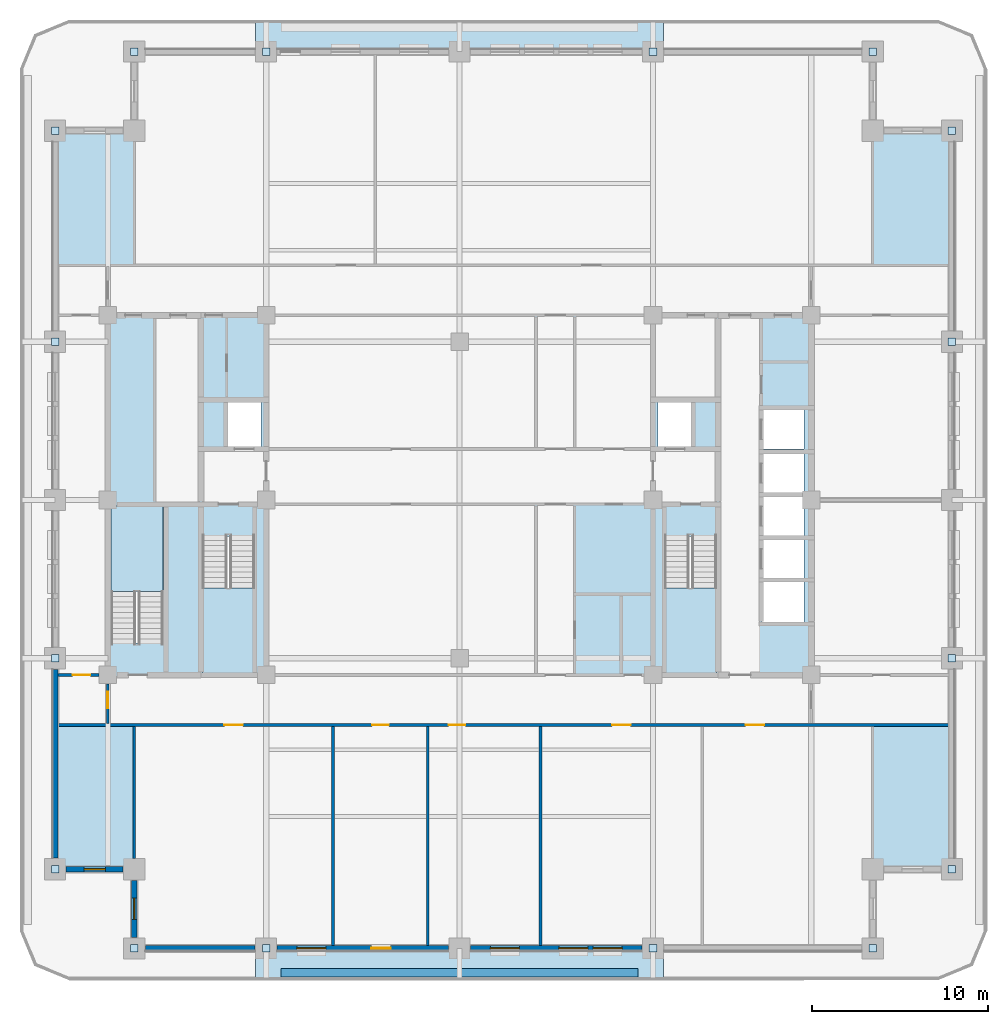
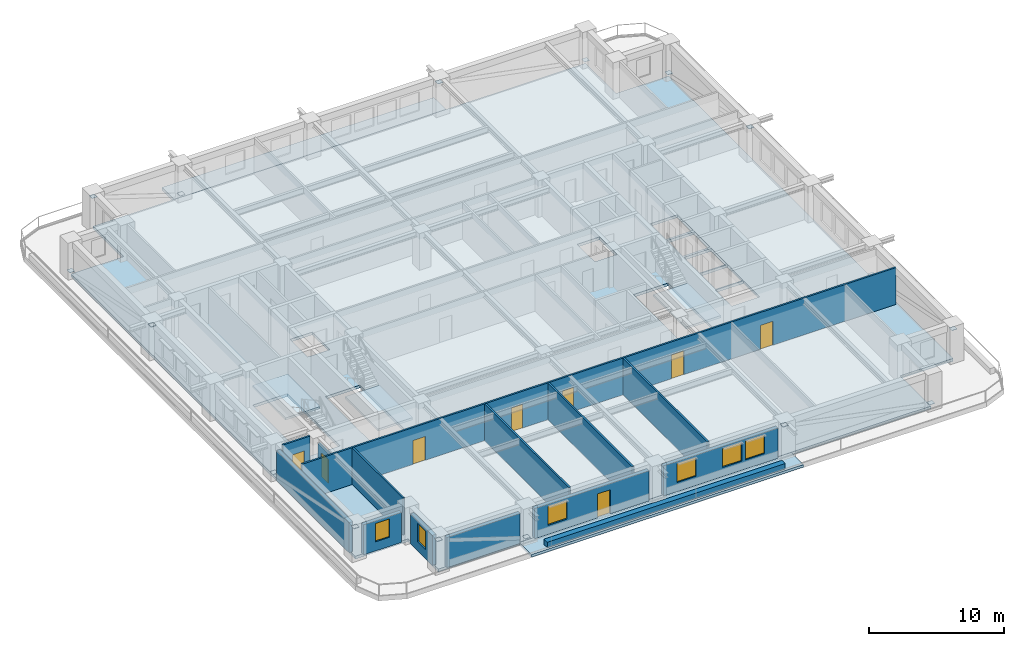
# One storey, part 2 of 13: 16 plates, 14 walls, 8 doors, 6 slabs, 6 windows, 14 openings, 3 elements without a shape of their own.
"""IFC4 building model written with IfcOpenShell, lengths in metres."""

from ifc_helpers import new_model, si_unit, direction, frame, frame_2d, origin, origin_2d, place, context, subcontext, project, spatial, polyline, rectangle, outline, extrude, material, layer, layer_set, type_object, element, fill, aggregate, save


model = new_model("IFC4")

# Units and contexts
model_context = context("Model", 3, precision=1e-05, world=origin(), true_north=direction((0.0, 1.0)))
body_context = subcontext(model_context, "Body", "Model", "MODEL_VIEW")
ifc_project = project(units=[si_unit("LENGTHUNIT", "METRE"), si_unit("AREAUNIT", "SQUARE_METRE"), si_unit("VOLUMEUNIT", "CUBIC_METRE"), si_unit("PLANEANGLEUNIT", "RADIAN"), si_unit("MASSUNIT", "GRAM", prefix="KILO")], contexts=[model_context])

# Site, building, storey
site_placement = place(None, origin())
site = spatial("IfcSite", under=ifc_project, at=site_placement, CompositionType="ELEMENT")
building_placement = place(site_placement, origin())
building = spatial("IfcBuilding", under=site, at=building_placement, Name="Zulmaris Gate Convention Tower", CompositionType="ELEMENT")
storey_placement = place(building_placement, frame((0.0, 0.0, 109.2099609375)))
storey = spatial("IfcBuildingStorey", under=building, at=storey_placement, Name="L27", CompositionType="ELEMENT", Elevation=109.2099609375)

# Plates
ifc_material_1 = material(Name="Steel S460", Category="steel")
ifc_layer_1 = layer(ifc_material_1, 0.02490234375, Name="Steel S460")
ifc_layer_set_1 = layer_set([ifc_layer_1], Name="Steel S460")
plate_type = type_object("IfcPlateType", Name="NP-CAP-440", PredefinedType="USERDEFINED", material=ifc_layer_set_1)
for number, where, z_axis, x_axis, name in (
    (1, (-23.0, -9.0, 0.28759765625), (0.0, 0.0, 1.0), (1.0, 0.0, 0.0), "L27 Steel Node Plate PBR-L27-SW-W-CAP"),
    (2, (-23.0, -21.0, 2.6875), (0.0, 0.0, 1.0), (1.0, 0.0, 0.0), "L27 Steel Node Plate PBR-L27-SW-W-CAPB"),
    (3, (-23.0, 21.0, 0.28759765625), (0.0, 0.0, 1.0), (1.0, 0.0, 0.0), "L27 Steel Node Plate PBR-L27-NW-W-CAP"),
    (4, (-23.0, 9.0, 2.6875), (0.0, 0.0, 1.0), (1.0, 0.0, 0.0), "L27 Steel Node Plate PBR-L27-NW-W-CAPB"),
    (5, (28.0, -9.0, 0.28759765625), (0.0, 0.0, 1.0), (1.0, 0.0, 0.0), "L27 Steel Node Plate PBR-L27-SE-E-CAP"),
    (6, (28.0, -21.0, 2.6875), (0.0, 0.0, 1.0), (1.0, 0.0, 0.0), "L27 Steel Node Plate PBR-L27-SE-E-CAPB"),
    (7, (28.0, 21.0, 0.28759765625), (0.0, 0.0, 1.0), (1.0, 0.0, 0.0), "L27 Steel Node Plate PBR-L27-NE-E-CAP"),
    (8, (28.0, 9.0, 2.6875), (0.0, 0.0, 1.0), (1.0, 0.0, 0.0), "L27 Steel Node Plate PBR-L27-NE-E-CAPB"),
    (9, (-11.0, -25.5, 0.28759765625), (0.0, 0.0, 1.0), (1.0, 0.0, 0.0), "L27 Steel Node Plate PBR-L27-SW-S-CAP"),
    (10, (-18.5, -25.5, 2.6875), (0.0, 0.0, 1.0), (1.0, 0.0, 0.0), "L27 Steel Node Plate PBR-L27-SW-S-CAPB"),
    (11, (23.5, -25.5, 0.28759765625), (0.0, 0.0, 1.0), (1.0, 0.0, 0.0), "L27 Steel Node Plate PBR-L27-SE-S-CAP"),
    (12, (11.0, -25.5, 2.6875), (0.0, 0.0, 1.0), (1.0, 0.0, 0.0), "L27 Steel Node Plate PBR-L27-SE-S-CAPB"),
    (13, (-11.0, 25.5, 0.28759765625), (0.0, 0.0, 1.0), (1.0, 0.0, 0.0), "L27 Steel Node Plate PBR-L27-NW-N-CAP"),
    (14, (-18.5, 25.5, 2.6875), (0.0, 0.0, 1.0), (1.0, 0.0, 0.0), "L27 Steel Node Plate PBR-L27-NW-N-CAPB"),
    (15, (23.5, 25.5, 0.28759765625), (0.0, 0.0, 1.0), (1.0, 0.0, 0.0), "L27 Steel Node Plate PBR-L27-NE-N-CAP"),
    (16, (11.0, 25.5, 2.6875), (0.0, 0.0, 1.0), (1.0, 0.0, 0.0), "L27 Steel Node Plate PBR-L27-NE-N-CAPB"),
):
    element("IfcPlate", number, at=place(storey_placement, frame(where, z_axis=z_axis, x_axis=x_axis)), inside=storey, type_object=plate_type, Name=name, ObjectType="FLANGE PLATE", PredefinedType="USERDEFINED", context=body_context, shape_type="SweptSolid", body=[
        extrude(rectangle(XDim=0.43994140625, YDim=0.43994140625, at=origin_2d()), origin(), (0.0, 0.0, 1.0), 0.02490234375),
    ])

# Slabs
ifc_material_2 = material(Name="Precast concrete C50/60", Category="concrete")
ifc_layer_2 = layer(ifc_material_2, 0.239990234375, Name="Precast concrete C50/60")
ifc_layer_set_2 = layer_set([ifc_layer_2], Name="Precast concrete C50/60")
slab_type_1 = type_object("IfcSlabType", Name="SL-BAL-240", PredefinedType="FLOOR", material=ifc_layer_set_2)
slab_1_placement = place(storey_placement, frame((0.0, 0.0, -0.25)))
element("IfcSlab", 17, at=slab_1_placement, inside=storey, type_object=slab_type_1, Name="L27 South Tree-Balcony Planter Slab", PredefinedType="FLOOR", context=body_context, shape_type="SweptSolid", body=[
    extrude(outline(polyline([(-11.597900390625, -27.300048828125), (-11.597900390625, -25.5), (11.597900390625, -25.5), (11.597900390625, -27.300048828125), (-11.597900390625, -27.300048828125)])), origin(), (0.0, 0.0, 1.0), 0.239990234375),
])
slab_2_placement = place(storey_placement, frame((0.0, 0.0, -0.25)))
element("IfcSlab", 18, at=slab_2_placement, inside=storey, type_object=slab_type_1, Name="L27 North Tree-Balcony Planter Slab", PredefinedType="FLOOR", context=body_context, shape_type="SweptSolid", body=[
    extrude(outline(polyline([(11.597900390625, 27.300048828125), (11.597900390625, 25.5), (-11.597900390625, 25.5), (-11.597900390625, 27.300048828125), (11.597900390625, 27.300048828125)])), origin(), (0.0, 0.0, 1.0), 0.239990234375),
])
ifc_material_3 = material(Name="Concrete C50/60", Category="concrete")
ifc_layer_3 = layer(ifc_material_3, 0.25, Name="Concrete C50/60")
ifc_layer_set_3 = layer_set([ifc_layer_3], Name="Concrete C50/60")
slab_type_2 = type_object("IfcSlabType", Name="SL-FLR-250", PredefinedType="FLOOR", material=ifc_layer_set_3)
slab_3_placement = place(storey_placement, frame((0.0, 0.0, -0.25)))
element("IfcSlab", 19, at=slab_3_placement, inside=storey, type_object=slab_type_2, Name="L27 Shifted Notched-Square Structural Floor Slab", PredefinedType="FLOOR", context=body_context, shape_type="SweptSolid", body=[
    extrude(outline(polyline([(-18.5, -25.5), (23.5, -25.5), (23.5, -21.0), (28.0, -21.0), (28.0, 21.0), (23.5, 21.0), (23.5, 25.5), (-18.5, 25.5), (-18.5, 21.0), (-23.0, 21.0), (-23.0, -21.0), (-18.5, -21.0), (-18.5, -25.5)]), holes=[polyline([(-14.6201171875, -2.080078125), (-14.6201171875, -9.85009765625), (-11.659912109375, -9.85009765625), (-11.659912109375, -2.080078125), (-14.6201171875, -2.080078125)]), polyline([(11.659912109375, -2.080078125), (11.659912109375, -9.85009765625), (14.6201171875, -9.85009765625), (14.6201171875, -2.080078125), (11.659912109375, -2.080078125)]), polyline([(-16.860107421875, -8.1201171875), (-16.860107421875, -0.35009765625), (-19.820068359375, -0.35009765625), (-19.820068359375, -8.1201171875), (-16.860107421875, -8.1201171875)]), polyline([(-13.199951171875, 3.0), (-11.300048828125, 3.0), (-11.300048828125, 5.60009765625), (-13.199951171875, 5.60009765625), (-13.199951171875, 3.0)]), polyline([(11.300048828125, 3.0), (13.199951171875, 3.0), (13.199951171875, 5.60009765625), (11.300048828125, 5.60009765625), (11.300048828125, 3.0)]), polyline([(17.199951171875, -7.0), (19.60009765625, -7.0), (19.60009765625, -4.60009765625), (17.199951171875, -4.60009765625), (17.199951171875, -7.0)]), polyline([(17.300048828125, -4.5), (19.60009765625, -4.5), (19.60009765625, -2.199951171875), (17.300048828125, -2.199951171875), (17.300048828125, -4.5)]), polyline([(17.300048828125, -2.10009765625), (19.60009765625, -2.10009765625), (19.60009765625, 0.199951171875), (17.300048828125, 0.199951171875), (17.300048828125, -2.10009765625)]), polyline([(17.300048828125, 0.39990234375), (19.60009765625, 0.39990234375), (19.60009765625, 2.699951171875), (17.300048828125, 2.699951171875), (17.300048828125, 0.39990234375)]), polyline([(17.300048828125, 2.89990234375), (19.60009765625, 2.89990234375), (19.60009765625, 5.199951171875), (17.300048828125, 5.199951171875), (17.300048828125, 2.89990234375)])]), origin(), (0.0, 0.0, 1.0), 0.25),
])

# Stair, slab
ifc_material_4 = material(Name="Concrete C45/55", Category="concrete")
stair_type = type_object("IfcStairType", Name="ST-CORE-DOGLEG", PredefinedType="HALF_TURN_STAIR", material=ifc_material_4)
stair_1_placement = place(storey_placement, origin())
stair_1 = element("IfcStair", 20, at=stair_1_placement, inside=storey, type_object=stair_type, Name="L27 Core Exit Stair ST-1", PredefinedType="HALF_TURN_STAIR")
ifc_layer_4 = layer(ifc_material_4, 0.199951171875, Name="Concrete C45/55")
ifc_layer_set_4 = layer_set([ifc_layer_4], Name="Concrete C45/55")
slab_type_3 = type_object("IfcSlabType", Name="SL-LND-200", PredefinedType="LANDING", material=ifc_layer_set_4)
slab_4_placement = place(storey_placement, frame((0.0, 0.0, 1.5849609375)))
slab_4 = element("IfcSlab", 21, at=slab_4_placement, type_object=slab_type_3, Name="ST-1 landing 1", PredefinedType="LANDING", context=body_context, shape_type="SweptSolid", body=[
    extrude(outline(polyline([(-14.6201171875, -5.0), (-14.6201171875, -9.85009765625), (-11.659912109375, -9.85009765625), (-11.659912109375, -5.0), (-14.6201171875, -5.0)])), origin(), (0.0, 0.0, 1.0), 0.2001953125),
])
aggregate(stair_1, [slab_4])

stair_2_placement = place(storey_placement, origin())
stair_2 = element("IfcStair", 22, at=stair_2_placement, inside=storey, type_object=stair_type, Name="L27 Core Exit Stair ST-2", PredefinedType="HALF_TURN_STAIR")
slab_5_placement = place(storey_placement, frame((0.0, 0.0, 1.5849609375)))
slab_5 = element("IfcSlab", 23, at=slab_5_placement, type_object=slab_type_3, Name="ST-2 landing 1", PredefinedType="LANDING", context=body_context, shape_type="SweptSolid", body=[
    extrude(outline(polyline([(11.659912109375, -5.0), (11.659912109375, -9.85009765625), (14.6201171875, -9.85009765625), (14.6201171875, -5.0), (11.659912109375, -5.0)])), origin(), (0.0, 0.0, 1.0), 0.2001953125),
])
aggregate(stair_2, [slab_5])

stair_3_placement = place(storey_placement, origin())
stair_3 = element("IfcStair", 24, at=stair_3_placement, inside=storey, type_object=stair_type, Name="L27 Core Exit Stair ST-3", PredefinedType="HALF_TURN_STAIR")
slab_6_placement = place(storey_placement, frame((0.0, 0.0, 1.5849609375)))
slab_6 = element("IfcSlab", 25, at=slab_6_placement, type_object=slab_type_3, Name="ST-3 landing 1", PredefinedType="LANDING", context=body_context, shape_type="SweptSolid", body=[
    extrude(outline(polyline([(-16.860107421875, -5.199951171875), (-16.860107421875, -0.35009765625), (-19.820068359375, -0.35009765625), (-19.820068359375, -5.199951171875), (-16.860107421875, -5.199951171875)])), origin(), (0.0, 0.0, 1.0), 0.2001953125),
])
aggregate(stair_3, [slab_6])

# Wall, openings, doors
ifc_material_5 = material(Name="Gypsum Metal Stud Partition")
ifc_layer_5 = layer(ifc_material_5, 0.14990234375, Name="Gypsum Metal Stud Partition")
ifc_layer_set_5 = layer_set([ifc_layer_5], Name="Gypsum Metal Stud Partition")
wall_type_1 = type_object("IfcWallType", Name="PART-150", PredefinedType="PARTITIONING", material=ifc_layer_set_5)
wall_1_placement = place(storey_placement, frame((-22.8349609375, -12.800048828125, 0.0), z_axis=(0.0, 0.0, 1.0), x_axis=(1.0, 0.0, 0.0)))
wall_1 = element("IfcWall", 26, at=wall_1_placement, inside=storey, type_object=wall_type_1, Name="WL-L27-021", PredefinedType="PARTITIONING", context=body_context, shape_type="SweptSolid", body=[
    extrude(rectangle(XDim=50.669921875, YDim=0.14990234375, at=frame_2d((25.3349609375, 0.0))), origin(), (0.0, 0.0, 1.0), 3.320068359375),
])
opening_1_placement = place(wall_1_placement, frame((9.4599609375, 0.0, 0.0)))
opening_1 = element("IfcOpeningElement", 27, at=opening_1_placement, cuts=wall_1, Name="Opening D-09", PredefinedType="OPENING", context=body_context, shape_type="SweptSolid", body=[
    extrude(rectangle(XDim=1.050048828125, YDim=2.14990234375, at=frame_2d((0.52490234375, 1.074951171875))), frame((0.0, 0.0849609375, 0.0), z_axis=(0.0, -1.0, 0.0), x_axis=(1.0, 0.0, 0.0)), (0.0, 0.0, 1.0), 0.169921875),
])
opening_2_placement = place(wall_1_placement, frame((17.860107421875, 0.0, 0.0)))
opening_2 = element("IfcOpeningElement", 28, at=opening_2_placement, cuts=wall_1, Name="Opening D-11", PredefinedType="OPENING", context=body_context, shape_type="SweptSolid", body=[
    extrude(rectangle(XDim=0.949951171875, YDim=2.14990234375, at=frame_2d((0.47509765625, 1.074951171875))), frame((0.0, 0.0849609375, 0.0), z_axis=(0.0, -1.0, 0.0), x_axis=(1.0, 0.0, 0.0)), (0.0, 0.0, 1.0), 0.169921875),
])
opening_3_placement = place(wall_1_placement, frame((22.2099609375, 0.0, 0.0)))
opening_3 = element("IfcOpeningElement", 29, at=opening_3_placement, cuts=wall_1, Name="Opening D-11", PredefinedType="OPENING", context=body_context, shape_type="SweptSolid", body=[
    extrude(rectangle(XDim=0.949951171875, YDim=2.14990234375, at=frame_2d((0.47509765625, 1.074951171875))), frame((0.0, 0.0849609375, 0.0), z_axis=(0.0, -1.0, 0.0), x_axis=(1.0, 0.0, 0.0)), (0.0, 0.0, 1.0), 0.169921875),
])
opening_4_placement = place(wall_1_placement, frame((31.510009765625, 0.0, 0.0)))
opening_4 = element("IfcOpeningElement", 30, at=opening_4_placement, cuts=wall_1, Name="Opening D-09", PredefinedType="OPENING", context=body_context, shape_type="SweptSolid", body=[
    extrude(rectangle(XDim=1.050048828125, YDim=2.14990234375, at=frame_2d((0.52490234375, 1.074951171875))), frame((0.0, 0.0849609375, 0.0), z_axis=(0.0, -1.0, 0.0), x_axis=(1.0, 0.0, 0.0)), (0.0, 0.0, 1.0), 0.169921875),
])
opening_5_placement = place(wall_1_placement, frame((39.110107421875, 0.0, 0.0)))
opening_5 = element("IfcOpeningElement", 31, at=opening_5_placement, cuts=wall_1, Name="Opening D-09", PredefinedType="OPENING", context=body_context, shape_type="SweptSolid", body=[
    extrude(rectangle(XDim=1.050048828125, YDim=2.14990234375, at=frame_2d((0.52490234375, 1.074951171875))), frame((0.0, 0.0849609375, 0.0), z_axis=(0.0, -1.0, 0.0), x_axis=(1.0, 0.0, 0.0)), (0.0, 0.0, 1.0), 0.169921875),
])
ifc_material_6 = material(Name="Fire-Rated Steel", Category="steel")
door_type_1 = type_object("IfcDoorType", Name="DR-1050-FD", OperationType="NOTDEFINED", PredefinedType="DOOR", material=ifc_material_6)
door_1_placement = place(opening_1_placement, origin())
door_1 = element("IfcDoor", 32, at=door_1_placement, inside=storey, type_object=door_type_1, Name="L27 Partner Corner Office Door 27", OperationType="SINGLE_SWING_LEFT", OverallHeight=2.14990234375, OverallWidth=1.050048828125, PredefinedType="DOOR", context=body_context, shape_type="SweptSolid", body=[
    extrude(rectangle(XDim=1.050048828125, YDim=2.14990234375, at=frame_2d((0.52490234375, 1.074951171875))), frame((0.0, 0.02490234375, 0.0), z_axis=(0.0, -1.0, 0.0), x_axis=(1.0, 0.0, 0.0)), (0.0, 0.0, 1.0), 0.050048828125),
])
fill(opening_1, door_1)
door_2_placement = place(opening_4_placement, origin())
door_2 = element("IfcDoor", 33, at=door_2_placement, inside=storey, type_object=door_type_1, Name="L27 Executive Office Door 30", OperationType="SINGLE_SWING_RIGHT", OverallHeight=2.14990234375, OverallWidth=1.050048828125, PredefinedType="DOOR", context=body_context, shape_type="SweptSolid", body=[
    extrude(rectangle(XDim=1.050048828125, YDim=2.14990234375, at=frame_2d((0.52490234375, 1.074951171875))), frame((0.0, 0.02490234375, 0.0), z_axis=(0.0, -1.0, 0.0), x_axis=(1.0, 0.0, 0.0)), (0.0, 0.0, 1.0), 0.050048828125),
])
fill(opening_4, door_2)
door_3_placement = place(opening_5_placement, origin())
door_3 = element("IfcDoor", 34, at=door_3_placement, inside=storey, type_object=door_type_1, Name="L27 Partner Corner Office Door 31", OperationType="SINGLE_SWING_LEFT", OverallHeight=2.14990234375, OverallWidth=1.050048828125, PredefinedType="DOOR", context=body_context, shape_type="SweptSolid", body=[
    extrude(rectangle(XDim=1.050048828125, YDim=2.14990234375, at=frame_2d((0.52490234375, 1.074951171875))), frame((0.0, 0.02490234375, 0.0), z_axis=(0.0, -1.0, 0.0), x_axis=(1.0, 0.0, 0.0)), (0.0, 0.0, 1.0), 0.050048828125),
])
fill(opening_5, door_3)
ifc_material_7 = material(Name="Fire-Rated Timber", Category="wood")
door_type_2 = type_object("IfcDoorType", Name="DR-950-FD", OperationType="NOTDEFINED", PredefinedType="DOOR", material=ifc_material_7)
door_4_placement = place(opening_2_placement, origin())
door_4 = element("IfcDoor", 35, at=door_4_placement, inside=storey, type_object=door_type_2, Name="L27 Advisory Suite Office Door 28", OperationType="SINGLE_SWING_RIGHT", OverallHeight=2.14990234375, OverallWidth=0.949951171875, PredefinedType="DOOR", context=body_context, shape_type="SweptSolid", body=[
    extrude(rectangle(XDim=0.949951171875, YDim=2.14990234375, at=frame_2d((0.47509765625, 1.074951171875))), frame((0.0, 0.02490234375, 0.0), z_axis=(0.0, -1.0, 0.0), x_axis=(1.0, 0.0, 0.0)), (0.0, 0.0, 1.0), 0.050048828125),
])
fill(opening_2, door_4)
door_5_placement = place(opening_3_placement, origin())
door_5 = element("IfcDoor", 36, at=door_5_placement, inside=storey, type_object=door_type_2, Name="L27 Open Plan Workplace Door 29", OperationType="SINGLE_SWING_LEFT", OverallHeight=2.14990234375, OverallWidth=0.949951171875, PredefinedType="DOOR", context=body_context, shape_type="SweptSolid", body=[
    extrude(rectangle(XDim=0.949951171875, YDim=2.14990234375, at=frame_2d((0.47509765625, 1.074951171875))), frame((0.0, 0.02490234375, 0.0), z_axis=(0.0, -1.0, 0.0), x_axis=(1.0, 0.0, 0.0)), (0.0, 0.0, 1.0), 0.050048828125),
])
fill(opening_3, door_5)

# Wall, opening, door
wall_2_placement = place(storey_placement, frame((-22.8349609375, -9.949951171875, 0.0), z_axis=(0.0, 0.0, 1.0), x_axis=(1.0, 0.0, 0.0)))
wall_2 = element("IfcWall", 37, at=wall_2_placement, inside=storey, type_object=wall_type_1, Name="WL-L27-022", PredefinedType="PARTITIONING", context=body_context, shape_type="SweptSolid", body=[
    extrude(rectangle(XDim=2.328857421875, YDim=0.14990234375, at=frame_2d((1.16455078125, 0.0))), origin(), (0.0, 0.0, 1.0), 3.320068359375),
])
opening_6_placement = place(wall_2_placement, frame((0.8349609375, 0.0, 0.0)))
opening_6 = element("IfcOpeningElement", 38, at=opening_6_placement, cuts=wall_2, Name="Opening D-10", PredefinedType="OPENING", context=body_context, shape_type="SweptSolid", body=[
    extrude(rectangle(XDim=1.0, YDim=2.14990234375, at=frame_2d((0.5, 1.074951171875))), frame((0.0, 0.0849609375, 0.0), z_axis=(0.0, -1.0, 0.0), x_axis=(1.0, 0.0, 0.0)), (0.0, 0.0, 1.0), 0.169921875),
])
door_type_3 = type_object("IfcDoorType", Name="DR-1000-FD", OperationType="NOTDEFINED", PredefinedType="DOOR", material=ifc_material_7)
door_6_placement = place(opening_6_placement, origin())
door_6 = element("IfcDoor", 39, at=door_6_placement, inside=storey, type_object=door_type_3, Name="L27 West Workplace South Door 41", OperationType="SINGLE_SWING_LEFT", OverallHeight=2.14990234375, OverallWidth=1.0, PredefinedType="DOOR", context=body_context, shape_type="SweptSolid", body=[
    extrude(rectangle(XDim=1.0, YDim=2.14990234375, at=frame_2d((0.5, 1.074951171875))), frame((0.0, 0.02490234375, 0.0), z_axis=(0.0, -1.0, 0.0), x_axis=(1.0, 0.0, 0.0)), (0.0, 0.0, 1.0), 0.050048828125),
])
fill(opening_6, door_6)

wall_3_placement = place(storey_placement, frame((-20.0, -12.721923828125, 0.0), z_axis=(0.0, 0.0, 1.0), x_axis=(0.0, 1.0, 0.0)))
wall_3 = element("IfcWall", 40, at=wall_3_placement, inside=storey, type_object=wall_type_1, Name="WL-L27-069", PredefinedType="PARTITIONING", context=body_context, shape_type="SweptSolid", body=[
    extrude(rectangle(XDim=2.265869140625, YDim=0.14990234375, at=frame_2d((1.1328125, 0.0))), origin(), (0.0, 0.0, 1.0), 2.81005859375),
])
opening_7_placement = place(wall_3_placement, frame((0.866943359375, 0.0, 0.0)))
opening_7 = element("IfcOpeningElement", 41, at=opening_7_placement, cuts=wall_3, Name="Opening D-11", PredefinedType="OPENING", context=body_context, shape_type="SweptSolid", body=[
    extrude(rectangle(XDim=0.949951171875, YDim=2.14990234375, at=frame_2d((0.47509765625, 1.074951171875))), frame((0.0, 0.0849609375, 0.0), z_axis=(0.0, -1.0, 0.0), x_axis=(1.0, 0.0, 0.0)), (0.0, 0.0, 1.0), 0.169921875),
])
door_7_placement = place(opening_7_placement, origin())
door_7 = element("IfcDoor", 42, at=door_7_placement, inside=storey, type_object=door_type_2, Name="L27 SW Spur Door 39", OperationType="SINGLE_SWING_LEFT", OverallHeight=2.14990234375, OverallWidth=0.949951171875, PredefinedType="DOOR", context=body_context, shape_type="SweptSolid", body=[
    extrude(rectangle(XDim=0.949951171875, YDim=2.14990234375, at=frame_2d((0.47509765625, 1.074951171875))), frame((0.0, 0.02490234375, 0.0), z_axis=(0.0, -1.0, 0.0), x_axis=(1.0, 0.0, 0.0)), (0.0, 0.0, 1.0), 0.050048828125),
])
fill(opening_7, door_7)

# Walls
wall_4_placement = place(storey_placement, frame((-18.5, -20.39404296875, 0.0), z_axis=(0.0, 0.0, 1.0), x_axis=(0.0, 1.0, 0.0)))
element("IfcWall", 43, at=wall_4_placement, inside=storey, type_object=wall_type_1, Name="WL-L27-071", PredefinedType="PARTITIONING", context=body_context, shape_type="SweptSolid", body=[
    extrude(rectangle(XDim=7.51611328125, YDim=0.14990234375, at=frame_2d((3.758056640625, 0.0))), origin(), (0.0, 0.0, 1.0), 3.320068359375),
])
for number, where, z_axis, x_axis, name in (
    (44, (-7.199951171875, -25.3349609375, 0.0), (0.0, 0.0, 1.0), (0.0, 1.0, 0.0), "WL-L27-075"),
    (45, (-1.800048828125, -25.3349609375, 0.0), (0.0, 0.0, 1.0), (0.0, 1.0, 0.0), "WL-L27-077"),
    (46, (4.60009765625, -25.3349609375, 0.0), (0.0, 0.0, 1.0), (0.0, 1.0, 0.0), "WL-L27-080"),
):
    element("IfcWall", number, at=place(storey_placement, frame(where, z_axis=z_axis, x_axis=x_axis)), inside=storey, type_object=wall_type_1, Name=name, PredefinedType="PARTITIONING", context=body_context, shape_type="SweptSolid", body=[
        extrude(rectangle(XDim=12.45703125, YDim=0.14990234375, at=frame_2d((6.228515625, 0.0))), origin(), (0.0, 0.0, 1.0), 3.320068359375),
    ])
ifc_material_8 = material(Name="Botanical Green Glazed Precast Concrete C40/50", Category="concrete")
ifc_layer_6 = layer(ifc_material_8, 0.419921875, Name="Botanical Green Glazed Precast Concrete C40/50")
ifc_layer_set_6 = layer_set([ifc_layer_6], Name="Botanical Green Glazed Precast Concrete C40/50")
wall_type_2 = type_object("IfcWallType", Name="PLANTER-CURB-200", PredefinedType="PARAPET", material=ifc_layer_set_6)
wall_5_placement = place(storey_placement, frame((-10.14990234375, -26.8798828125, -0.0400390625), z_axis=(0.0, 0.0, 1.0), x_axis=(1.0, 0.0, 0.0)))
element("IfcWall", 47, at=wall_5_placement, inside=storey, type_object=wall_type_2, Name="L27 Full-Length Balcony Tree Planter Trough", PredefinedType="PARAPET", context=body_context, shape_type="SweptSolid", body=[
    extrude(rectangle(XDim=20.2998046875, YDim=0.47998046875, at=frame_2d((10.14990234375, 0.0))), origin(), (0.0, 0.0, 1.0), 0.52001953125),
])

# Wall, opening, window
ifc_material_9 = material(Name="Precast concrete C40/50", Category="concrete")
ifc_layer_7 = layer(ifc_material_9, 0.300048828125, Name="Precast concrete C40/50")
ifc_layer_set_7 = layer_set([ifc_layer_7], Name="Precast concrete C40/50")
wall_type_3 = type_object("IfcWallType", Name="PRECAST-PIER-300", PredefinedType="STANDARD", material=ifc_layer_set_7)
wall_6_placement = place(storey_placement, frame((-22.3701171875, -21.0, 0.0), z_axis=(0.0, 0.0, 1.0), x_axis=(1.0, 0.0, 0.0)))
wall_6 = element("IfcWall", 48, at=wall_6_placement, inside=storey, type_object=wall_type_3, Name="EW-L27-NOTCH-SW1_0", PredefinedType="STANDARD", context=body_context, shape_type="SweptSolid", body=[
    extrude(rectangle(XDim=3.240234375, YDim=0.300048828125, at=frame_2d((1.6201171875, 0.0))), origin(), (0.0, 0.0, 1.0), 2.712158203125),
])
opening_8_placement = place(wall_6_placement, frame((1.02001953125, 0.0, 0.820068359375)))
opening_8 = element("IfcOpeningElement", 49, at=opening_8_placement, cuts=wall_6, Name="Opening W-04", PredefinedType="OPENING", context=body_context, shape_type="SweptSolid", body=[
    extrude(rectangle(XDim=1.199951171875, YDim=1.64990234375, at=frame_2d((0.60009765625, 0.824951171875))), frame((0.0, 0.16015625, 0.0), z_axis=(0.0, -1.0, 0.0), x_axis=(1.0, 0.0, 0.0)), (0.0, 0.0, 1.0), 0.320068359375),
])
ifc_material_10 = material(Name="Low-E Laminated Double Glazing in Aluminium Frame", Category="aluminium")
window_type_1 = type_object("IfcWindowType", Name="WIN-1200x2100", PartitioningType="SINGLE_PANEL", PredefinedType="WINDOW", material=ifc_material_10)
window_1_placement = place(opening_8_placement, origin())
window_1 = element("IfcWindow", 50, at=window_1_placement, inside=storey, type_object=window_type_1, Name="WN-EW-L27-NOTCH-SW1_0", OverallHeight=1.64990234375, OverallWidth=1.199951171875, PartitioningType="SINGLE_PANEL", PredefinedType="WINDOW", context=body_context, shape_type="SweptSolid", body=[
    extrude(rectangle(XDim=1.199951171875, YDim=1.64990234375, at=frame_2d((0.60009765625, 0.824951171875))), frame((0.0, 0.030029296875, 0.0), z_axis=(0.0, -1.0, 0.0), x_axis=(1.0, 0.0, 0.0)), (0.0, 0.0, 1.0), 0.06005859375),
])
fill(opening_8, window_1)

wall_7_placement = place(storey_placement, frame((-18.5, -21.6298828125, 0.0), z_axis=(0.0, 0.0, 1.0), x_axis=(0.0, -1.0, 0.0)))
wall_7 = element("IfcWall", 51, at=wall_7_placement, inside=storey, type_object=wall_type_3, Name="EW-L27-NOTCH-SW2_0", PredefinedType="STANDARD", context=body_context, shape_type="SweptSolid", body=[
    extrude(rectangle(XDim=3.240234375, YDim=0.300048828125, at=frame_2d((1.6201171875, 0.0))), origin(), (0.0, 0.0, 1.0), 2.712158203125),
])
opening_9_placement = place(wall_7_placement, frame((1.02001953125, 0.0, 0.820068359375)))
opening_9 = element("IfcOpeningElement", 52, at=opening_9_placement, cuts=wall_7, Name="Opening W-04", PredefinedType="OPENING", context=body_context, shape_type="SweptSolid", body=[
    extrude(rectangle(XDim=1.199951171875, YDim=1.64990234375, at=frame_2d((0.60009765625, 0.824951171875))), frame((0.0, 0.16015625, 0.0), z_axis=(0.0, -1.0, 0.0), x_axis=(1.0, 0.0, 0.0)), (0.0, 0.0, 1.0), 0.320068359375),
])
window_2_placement = place(opening_9_placement, origin())
window_2 = element("IfcWindow", 53, at=window_2_placement, inside=storey, type_object=window_type_1, Name="WN-EW-L27-NOTCH-SW2_0", OverallHeight=1.64990234375, OverallWidth=1.199951171875, PartitioningType="SINGLE_PANEL", PredefinedType="WINDOW", context=body_context, shape_type="SweptSolid", body=[
    extrude(rectangle(XDim=1.199951171875, YDim=1.64990234375, at=frame_2d((0.60009765625, 0.824951171875))), frame((0.0, 0.030029296875, 0.0), z_axis=(0.0, -1.0, 0.0), x_axis=(1.0, 0.0, 0.0)), (0.0, 0.0, 1.0), 0.06005859375),
])
fill(opening_9, window_2)

# Wall
wall_8_placement = place(storey_placement, frame((-17.8701171875, -25.5, 0.0), z_axis=(0.0, 0.0, 1.0), x_axis=(1.0, 0.0, 0.0)))
element("IfcWall", 54, at=wall_8_placement, inside=storey, type_object=wall_type_3, Name="EW-L27-S-0_0", PredefinedType="STANDARD", context=body_context, shape_type="SweptSolid", body=[
    extrude(rectangle(XDim=6.240234375, YDim=0.300048828125, at=frame_2d((3.1201171875, 0.0))), origin(), (0.0, 0.0, 1.0), 2.712158203125),
])

# Wall, openings, door, window
wall_9_placement = place(storey_placement, frame((-10.3701171875, -25.5, 0.0), z_axis=(0.0, 0.0, 1.0), x_axis=(1.0, 0.0, 0.0)))
wall_9 = element("IfcWall", 55, at=wall_9_placement, inside=storey, type_object=wall_type_3, Name="EW-L27-S-1_0", PredefinedType="STANDARD", context=body_context, shape_type="SweptSolid", body=[
    extrude(rectangle(XDim=9.740234375, YDim=0.300048828125, at=frame_2d((4.8701171875, 0.0))), origin(), (0.0, 0.0, 1.0), 2.712158203125),
])
opening_10_placement = place(wall_9_placement, frame((5.35009765625, 0.0, 0.0)))
opening_10 = element("IfcOpeningElement", 56, at=opening_10_placement, cuts=wall_9, Name="Opening D-04", PredefinedType="OPENING", context=body_context, shape_type="SweptSolid", body=[
    extrude(rectangle(XDim=1.10009765625, YDim=2.14990234375, at=frame_2d((0.550048828125, 1.074951171875))), frame((0.0, 0.16015625, 0.0), z_axis=(0.0, -1.0, 0.0), x_axis=(1.0, 0.0, 0.0)), (0.0, 0.0, 1.0), 0.320068359375),
])
opening_11_placement = place(wall_9_placement, frame((1.123046875, 0.0, 0.800048828125)))
opening_11 = element("IfcOpeningElement", 57, at=opening_11_placement, cuts=wall_9, Name="Opening W-08", PredefinedType="OPENING", context=body_context, shape_type="SweptSolid", body=[
    extrude(rectangle(XDim=1.64990234375, YDim=1.699951171875, at=frame_2d((0.824951171875, 0.85009765625))), frame((0.0, 0.16015625, 0.0), z_axis=(0.0, -1.0, 0.0), x_axis=(1.0, 0.0, 0.0)), (0.0, 0.0, 1.0), 0.320068359375),
])
ifc_material_11 = material(Name="Anodised Aluminium and Laminated Glass", Category="aluminium")
door_type_4 = type_object("IfcDoorType", Name="ED-1100", OperationType="SINGLE_SWING_RIGHT", PredefinedType="DOOR", material=ifc_material_11)
door_8_placement = place(opening_10_placement, origin())
door_8 = element("IfcDoor", 58, at=door_8_placement, inside=storey, type_object=door_type_4, Name="L27 S Planted Terrace Door", OperationType="SINGLE_SWING_RIGHT", OverallHeight=2.14990234375, OverallWidth=1.10009765625, PredefinedType="DOOR", context=body_context, shape_type="SweptSolid", body=[
    extrude(rectangle(XDim=1.10009765625, YDim=2.14990234375, at=frame_2d((0.550048828125, 1.074951171875))), frame((0.0, 0.02490234375, 0.0), z_axis=(0.0, -1.0, 0.0), x_axis=(1.0, 0.0, 0.0)), (0.0, 0.0, 1.0), 0.050048828125),
])
fill(opening_10, door_8)
window_type_2 = type_object("IfcWindowType", Name="WIN-1650x2150", PartitioningType="SINGLE_PANEL", PredefinedType="WINDOW", material=ifc_material_10)
window_3_placement = place(opening_11_placement, origin())
window_3 = element("IfcWindow", 59, at=window_3_placement, inside=storey, type_object=window_type_2, Name="WN-EW-L27-S-1_0-1", OverallHeight=1.699951171875, OverallWidth=1.64990234375, PartitioningType="SINGLE_PANEL", PredefinedType="WINDOW", context=body_context, shape_type="SweptSolid", body=[
    extrude(rectangle(XDim=1.64990234375, YDim=1.699951171875, at=frame_2d((0.824951171875, 0.85009765625))), frame((0.0, 0.030029296875, 0.0), z_axis=(0.0, -1.0, 0.0), x_axis=(1.0, 0.0, 0.0)), (0.0, 0.0, 1.0), 0.06005859375),
])
fill(opening_11, window_3)

# Wall, openings, windows
wall_10_placement = place(storey_placement, frame((0.6298828125, -25.5, 0.0), z_axis=(0.0, 0.0, 1.0), x_axis=(1.0, 0.0, 0.0)))
wall_10 = element("IfcWall", 60, at=wall_10_placement, inside=storey, type_object=wall_type_3, Name="EW-L27-S-2_0", PredefinedType="STANDARD", context=body_context, shape_type="SweptSolid", body=[
    extrude(rectangle(XDim=9.740234375, YDim=0.300048828125, at=frame_2d((4.8701171875, 0.0))), origin(), (0.0, 0.0, 1.0), 2.712158203125),
])
opening_12_placement = place(wall_10_placement, frame((1.123046875, 0.0, 0.800048828125)))
opening_12 = element("IfcOpeningElement", 61, at=opening_12_placement, cuts=wall_10, Name="Opening W-08", PredefinedType="OPENING", context=body_context, shape_type="SweptSolid", body=[
    extrude(rectangle(XDim=1.64990234375, YDim=1.699951171875, at=frame_2d((0.824951171875, 0.85009765625))), frame((0.0, 0.16015625, 0.0), z_axis=(0.0, -1.0, 0.0), x_axis=(1.0, 0.0, 0.0)), (0.0, 0.0, 1.0), 0.320068359375),
])
opening_13_placement = place(wall_10_placement, frame((5.01904296875, 0.0, 0.800048828125)))
opening_13 = element("IfcOpeningElement", 62, at=opening_13_placement, cuts=wall_10, Name="Opening W-08", PredefinedType="OPENING", context=body_context, shape_type="SweptSolid", body=[
    extrude(rectangle(XDim=1.64990234375, YDim=1.699951171875, at=frame_2d((0.824951171875, 0.85009765625))), frame((0.0, 0.16015625, 0.0), z_axis=(0.0, -1.0, 0.0), x_axis=(1.0, 0.0, 0.0)), (0.0, 0.0, 1.0), 0.320068359375),
])
opening_14_placement = place(wall_10_placement, frame((6.967041015625, 0.0, 0.800048828125)))
opening_14 = element("IfcOpeningElement", 63, at=opening_14_placement, cuts=wall_10, Name="Opening W-08", PredefinedType="OPENING", context=body_context, shape_type="SweptSolid", body=[
    extrude(rectangle(XDim=1.64990234375, YDim=1.699951171875, at=frame_2d((0.824951171875, 0.85009765625))), frame((0.0, 0.16015625, 0.0), z_axis=(0.0, -1.0, 0.0), x_axis=(1.0, 0.0, 0.0)), (0.0, 0.0, 1.0), 0.320068359375),
])
window_4_placement = place(opening_12_placement, origin())
window_4 = element("IfcWindow", 64, at=window_4_placement, inside=storey, type_object=window_type_2, Name="WN-EW-L27-S-2_0-1", OverallHeight=1.699951171875, OverallWidth=1.64990234375, PartitioningType="SINGLE_PANEL", PredefinedType="WINDOW", context=body_context, shape_type="SweptSolid", body=[
    extrude(rectangle(XDim=1.64990234375, YDim=1.699951171875, at=frame_2d((0.824951171875, 0.85009765625))), frame((0.0, 0.030029296875, 0.0), z_axis=(0.0, -1.0, 0.0), x_axis=(1.0, 0.0, 0.0)), (0.0, 0.0, 1.0), 0.06005859375),
])
fill(opening_12, window_4)
window_5_placement = place(opening_13_placement, origin())
window_5 = element("IfcWindow", 65, at=window_5_placement, inside=storey, type_object=window_type_2, Name="WN-EW-L27-S-2_0-3", OverallHeight=1.699951171875, OverallWidth=1.64990234375, PartitioningType="SINGLE_PANEL", PredefinedType="WINDOW", context=body_context, shape_type="SweptSolid", body=[
    extrude(rectangle(XDim=1.64990234375, YDim=1.699951171875, at=frame_2d((0.824951171875, 0.85009765625))), frame((0.0, 0.030029296875, 0.0), z_axis=(0.0, -1.0, 0.0), x_axis=(1.0, 0.0, 0.0)), (0.0, 0.0, 1.0), 0.06005859375),
])
fill(opening_13, window_5)
window_6_placement = place(opening_14_placement, origin())
window_6 = element("IfcWindow", 66, at=window_6_placement, inside=storey, type_object=window_type_2, Name="WN-EW-L27-S-2_0-4", OverallHeight=1.699951171875, OverallWidth=1.64990234375, PartitioningType="SINGLE_PANEL", PredefinedType="WINDOW", context=body_context, shape_type="SweptSolid", body=[
    extrude(rectangle(XDim=1.64990234375, YDim=1.699951171875, at=frame_2d((0.824951171875, 0.85009765625))), frame((0.0, 0.030029296875, 0.0), z_axis=(0.0, -1.0, 0.0), x_axis=(1.0, 0.0, 0.0)), (0.0, 0.0, 1.0), 0.06005859375),
])
fill(opening_14, window_6)

# Wall
wall_11_placement = place(storey_placement, frame((-23.0, -9.6298828125, 0.0), z_axis=(0.0, 0.0, 1.0), x_axis=(0.0, -1.0, 0.0)))
element("IfcWall", 67, at=wall_11_placement, inside=storey, type_object=wall_type_3, Name="EW-L27-W-0_0", PredefinedType="STANDARD", context=body_context, shape_type="SweptSolid", body=[
    extrude(rectangle(XDim=10.740234375, YDim=0.300048828125, at=frame_2d((5.3701171875, 0.0))), origin(), (0.0, 0.0, 1.0), 2.712158203125),
])

save(model, "model.ifc")
